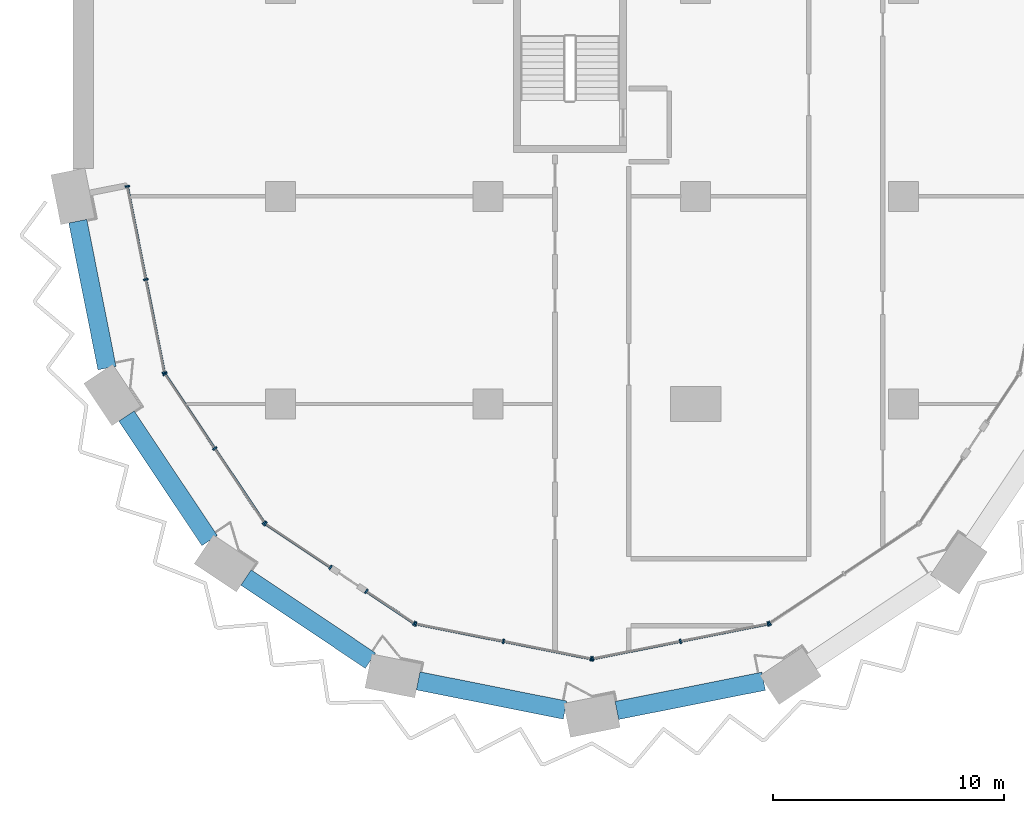
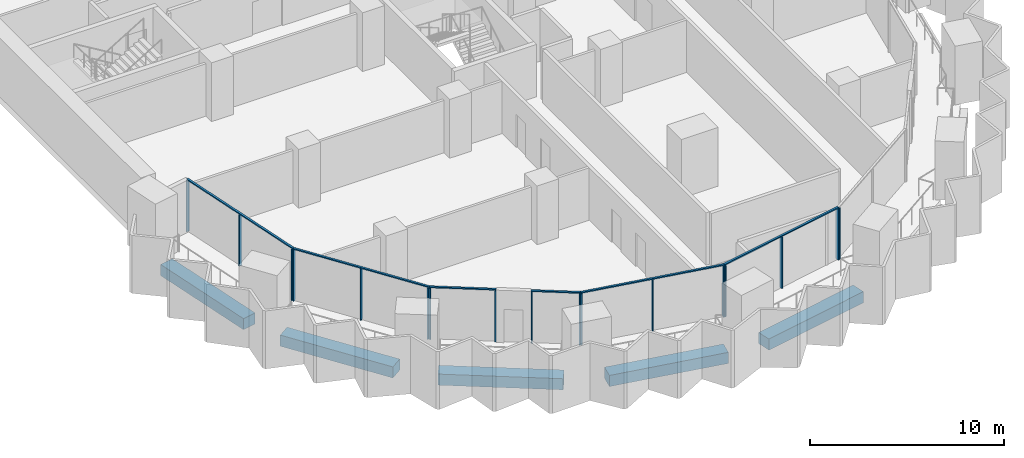
# One storey, part 2 of 23: 23 members, 5 beams, 7 elements without a shape of their own.
"""IFC4 building model written with IfcOpenShell, lengths in metres."""

from ifc_helpers import new_model, si_unit, direction, frame, origin, origin_2d, place, context, subcontext, project, spatial, rectangle, extrude, material, material_profile, profile_set, type_object, element, aggregate, save


model = new_model("IFC4")

# Units and contexts
model_context = context("Model", 3, precision=1e-05, world=origin(), true_north=direction((0.0, 1.0)))
body_context = subcontext(model_context, "Body", "Model", "MODEL_VIEW")
ifc_project = project(units=[si_unit("LENGTHUNIT", "METRE"), si_unit("AREAUNIT", "SQUARE_METRE"), si_unit("VOLUMEUNIT", "CUBIC_METRE"), si_unit("PLANEANGLEUNIT", "RADIAN"), si_unit("MASSUNIT", "GRAM", prefix="KILO")], contexts=[model_context])

# Site, building, storey
site_placement = place(None, origin())
site = spatial("IfcSite", under=ifc_project, at=site_placement, CompositionType="ELEMENT")
building_placement = place(site_placement, origin())
building = spatial("IfcBuilding", under=site, at=building_placement, Name="Hunhe Ridgeline Campus", CompositionType="ELEMENT")
storey_placement = place(building_placement, frame((0.0, 0.0, 95.89990234375)))
storey = spatial("IfcBuildingStorey", under=building, at=storey_placement, Name="L23", CompositionType="ELEMENT", Elevation=95.89990234375)

# Curtain wall, members
ifc_material_1 = material(Name="Aluminium 6063", Category="aluminium")
curtain_wall_type = type_object("IfcCurtainWallType", Name="Curtain wall CW-5", PredefinedType="NOTDEFINED", material=ifc_material_1)
curtain_wall_1_placement = place(storey_placement, origin())
curtain_wall_1 = element("IfcCurtainWall", 1, at=curtain_wall_1_placement, inside=storey, type_object=curtain_wall_type, Name="Curtain wall 01", PredefinedType="NOTDEFINED")
ifc_material_profile_1 = material_profile(ifc_material_1, rectangle(XDim=0.199951171875, YDim=0.070068359375, at=origin_2d()))
ifc_profile_set_1 = profile_set([ifc_material_profile_1], Name="Aluminium 6063")
member_type_1 = type_object("IfcMemberType", Name="CW-5 aluminium mullion", PredefinedType="MULLION", material=ifc_profile_set_1)
member_1_placement = place(storey_placement, frame((2.361572265625, 27.434326171875, 0.0), z_axis=(0.0, 0.0, 1.0), x_axis=(0.980784280831, 0.195095347137, 0.0)))
member_1 = element("IfcMember", 2, at=member_1_placement, type_object=member_type_1, Name="CW-5 mullion 1", PredefinedType="MULLION", context=body_context, shape_type="SweptSolid", body=[
    extrude(rectangle(XDim=0.199951171875, YDim=0.070068359375, at=origin_2d()), origin(), (0.0, 0.0, 1.0), 3.22998046875),
])
member_2_placement = place(storey_placement, frame((3.16455078125, 23.3974609375, 0.0), z_axis=(0.0, 0.0, 1.0), x_axis=(0.980784280831, 0.195095347137, 0.0)))
member_2 = element("IfcMember", 3, at=member_2_placement, type_object=member_type_1, Name="CW-5 mullion 2", PredefinedType="MULLION", context=body_context, shape_type="SweptSolid", body=[
    extrude(rectangle(XDim=0.199951171875, YDim=0.070068359375, at=origin_2d()), origin(), (0.0, 0.0, 1.0), 3.22998046875),
])
member_3_placement = place(storey_placement, frame((3.967529296875, 19.36083984375, 0.0), z_axis=(0.0, 0.0, 1.0), x_axis=(0.980784280831, 0.195095347137, 0.0)))
member_3 = element("IfcMember", 4, at=member_3_placement, type_object=member_type_1, Name="CW-5 mullion 3", PredefinedType="MULLION", context=body_context, shape_type="SweptSolid", body=[
    extrude(rectangle(XDim=0.199951171875, YDim=0.070068359375, at=origin_2d()), origin(), (0.0, 0.0, 1.0), 3.22998046875),
])

curtain_wall_2_placement = place(storey_placement, origin())
curtain_wall_2 = element("IfcCurtainWall", 5, at=curtain_wall_2_placement, inside=storey, type_object=curtain_wall_type, Name="Curtain wall 02", PredefinedType="NOTDEFINED")
member_4_placement = place(storey_placement, frame((3.993896484375, 19.29736328125, 0.0), z_axis=(0.0, 0.0, 1.0), x_axis=(0.831469584522, 0.555570274596, 0.0)))
member_4 = element("IfcMember", 6, at=member_4_placement, type_object=member_type_1, Name="CW-5 mullion 1", PredefinedType="MULLION", context=body_context, shape_type="SweptSolid", body=[
    extrude(rectangle(XDim=0.199951171875, YDim=0.070068359375, at=origin_2d()), origin(), (0.0, 0.0, 1.0), 3.22998046875),
])
member_5_placement = place(storey_placement, frame((6.147705078125, 16.07373046875, 0.0), z_axis=(0.0, 0.0, 1.0), x_axis=(0.831469584522, 0.555570274596, 0.0)))
member_5 = element("IfcMember", 7, at=member_5_placement, type_object=member_type_1, Name="CW-5 mullion 2", PredefinedType="MULLION", context=body_context, shape_type="SweptSolid", body=[
    extrude(rectangle(XDim=0.199951171875, YDim=0.070068359375, at=origin_2d()), origin(), (0.0, 0.0, 1.0), 3.22998046875),
])
member_6_placement = place(storey_placement, frame((8.3017578125, 12.850341796875, 0.0), z_axis=(0.0, 0.0, 1.0), x_axis=(0.831469584522, 0.555570274596, 0.0)))
member_6 = element("IfcMember", 8, at=member_6_placement, type_object=member_type_1, Name="CW-5 mullion 3", PredefinedType="MULLION", context=body_context, shape_type="SweptSolid", body=[
    extrude(rectangle(XDim=0.199951171875, YDim=0.070068359375, at=origin_2d()), origin(), (0.0, 0.0, 1.0), 3.22998046875),
])

curtain_wall_3_placement = place(storey_placement, origin())
curtain_wall_3 = element("IfcCurtainWall", 9, at=curtain_wall_3_placement, inside=storey, type_object=curtain_wall_type, Name="Curtain wall 03", PredefinedType="NOTDEFINED")
member_7_placement = place(storey_placement, frame((8.350341796875, 12.8017578125, 0.0), z_axis=(0.0, 0.0, 1.0), x_axis=(0.555570257501, 0.831469595944, 0.0)))
member_7 = element("IfcMember", 10, at=member_7_placement, type_object=member_type_1, Name="CW-5 mullion 1", PredefinedType="MULLION", context=body_context, shape_type="SweptSolid", body=[
    extrude(rectangle(XDim=0.199951171875, YDim=0.070068359375, at=origin_2d()), origin(), (0.0, 0.0, 1.0), 3.22998046875),
])
member_8_placement = place(storey_placement, frame((11.17041015625, 10.917236328125, 0.0), z_axis=(0.0, 0.0, 1.0), x_axis=(0.555570257501, 0.831469595944, 0.0)))
member_8 = element("IfcMember", 11, at=member_8_placement, type_object=member_type_1, Name="CW-5 mullion 2", PredefinedType="MULLION", context=body_context, shape_type="SweptSolid", body=[
    extrude(rectangle(XDim=0.199951171875, YDim=0.070068359375, at=origin_2d()), origin(), (0.0, 0.0, 1.0), 3.22998046875),
])

curtain_wall_4_placement = place(storey_placement, origin())
curtain_wall_4 = element("IfcCurtainWall", 12, at=curtain_wall_4_placement, inside=storey, type_object=curtain_wall_type, Name="Curtain wall 04", PredefinedType="NOTDEFINED")
member_9_placement = place(storey_placement, frame((12.725341796875, 9.87841796875, 0.0), z_axis=(0.0, 0.0, 1.0), x_axis=(0.555570385598, 0.831469510353, 0.0)))
member_9 = element("IfcMember", 13, at=member_9_placement, type_object=member_type_1, Name="CW-5 mullion 1", PredefinedType="MULLION", context=body_context, shape_type="SweptSolid", body=[
    extrude(rectangle(XDim=0.199951171875, YDim=0.070068359375, at=origin_2d()), origin(), (0.0, 0.0, 1.0), 3.22998046875),
])
member_10_placement = place(storey_placement, frame((14.79736328125, 8.493896484375, 0.0), z_axis=(0.0, 0.0, 1.0), x_axis=(0.555570385598, 0.831469510353, 0.0)))
member_10 = element("IfcMember", 14, at=member_10_placement, type_object=member_type_1, Name="CW-5 mullion 2", PredefinedType="MULLION", context=body_context, shape_type="SweptSolid", body=[
    extrude(rectangle(XDim=0.199951171875, YDim=0.070068359375, at=origin_2d()), origin(), (0.0, 0.0, 1.0), 3.22998046875),
])

curtain_wall_5_placement = place(storey_placement, origin())
curtain_wall_5 = element("IfcCurtainWall", 15, at=curtain_wall_5_placement, inside=storey, type_object=curtain_wall_type, Name="Curtain wall 05", PredefinedType="NOTDEFINED")
member_11_placement = place(storey_placement, frame((14.86083984375, 8.467529296875, 0.0), z_axis=(0.0, 0.0, 1.0), x_axis=(0.195090347539, 0.980785275326, 0.0)))
member_11 = element("IfcMember", 16, at=member_11_placement, type_object=member_type_1, Name="CW-5 mullion 1", PredefinedType="MULLION", context=body_context, shape_type="SweptSolid", body=[
    extrude(rectangle(XDim=0.199951171875, YDim=0.070068359375, at=origin_2d()), origin(), (0.0, 0.0, 1.0), 3.22998046875),
])
member_12_placement = place(storey_placement, frame((18.663330078125, 7.711181640625, 0.0), z_axis=(0.0, 0.0, 1.0), x_axis=(0.195090347539, 0.980785275326, 0.0)))
member_12 = element("IfcMember", 17, at=member_12_placement, type_object=member_type_1, Name="CW-5 mullion 2", PredefinedType="MULLION", context=body_context, shape_type="SweptSolid", body=[
    extrude(rectangle(XDim=0.199951171875, YDim=0.070068359375, at=origin_2d()), origin(), (0.0, 0.0, 1.0), 3.22998046875),
])
member_13_placement = place(storey_placement, frame((22.465576171875, 6.954833984375, 0.0), z_axis=(0.0, 0.0, 1.0), x_axis=(0.195090347539, 0.980785275326, 0.0)))
member_13 = element("IfcMember", 18, at=member_13_placement, type_object=member_type_1, Name="CW-5 mullion 3", PredefinedType="MULLION", context=body_context, shape_type="SweptSolid", body=[
    extrude(rectangle(XDim=0.199951171875, YDim=0.070068359375, at=origin_2d()), origin(), (0.0, 0.0, 1.0), 3.22998046875),
])

curtain_wall_6_placement = place(storey_placement, origin())
curtain_wall_6 = element("IfcCurtainWall", 19, at=curtain_wall_6_placement, inside=storey, type_object=curtain_wall_type, Name="Curtain wall 06", PredefinedType="NOTDEFINED")
member_14_placement = place(storey_placement, frame((22.534423828125, 6.954833984375, 0.0), z_axis=(0.0, 0.0, 1.0), x_axis=(-0.195090347539, 0.980785275326, 0.0)))
member_14 = element("IfcMember", 20, at=member_14_placement, type_object=member_type_1, Name="CW-5 mullion 1", PredefinedType="MULLION", context=body_context, shape_type="SweptSolid", body=[
    extrude(rectangle(XDim=0.199951171875, YDim=0.070068359375, at=origin_2d()), origin(), (0.0, 0.0, 1.0), 3.22998046875),
])
member_15_placement = place(storey_placement, frame((26.336669921875, 7.711181640625, 0.0), z_axis=(0.0, 0.0, 1.0), x_axis=(-0.195090347539, 0.980785275326, 0.0)))
member_15 = element("IfcMember", 21, at=member_15_placement, type_object=member_type_1, Name="CW-5 mullion 2", PredefinedType="MULLION", context=body_context, shape_type="SweptSolid", body=[
    extrude(rectangle(XDim=0.199951171875, YDim=0.070068359375, at=origin_2d()), origin(), (0.0, 0.0, 1.0), 3.22998046875),
])
member_16_placement = place(storey_placement, frame((30.13916015625, 8.467529296875, 0.0), z_axis=(0.0, 0.0, 1.0), x_axis=(-0.195090347539, 0.980785275326, 0.0)))
member_16 = element("IfcMember", 22, at=member_16_placement, type_object=member_type_1, Name="CW-5 mullion 3", PredefinedType="MULLION", context=body_context, shape_type="SweptSolid", body=[
    extrude(rectangle(XDim=0.199951171875, YDim=0.070068359375, at=origin_2d()), origin(), (0.0, 0.0, 1.0), 3.22998046875),
])

# Curtain wall, member
curtain_wall_7_placement = place(storey_placement, origin())
curtain_wall_7 = element("IfcCurtainWall", 23, at=curtain_wall_7_placement, inside=storey, type_object=curtain_wall_type, Name="Curtain wall 07", PredefinedType="NOTDEFINED")
member_17_placement = place(storey_placement, frame((30.20263671875, 8.493896484375, 0.0), z_axis=(0.0, 0.0, 1.0), x_axis=(-0.555570274596, 0.831469584522, 0.0)))
member_17 = element("IfcMember", 24, at=member_17_placement, type_object=member_type_1, Name="CW-5 mullion 1", PredefinedType="MULLION", context=body_context, shape_type="SweptSolid", body=[
    extrude(rectangle(XDim=0.199951171875, YDim=0.070068359375, at=origin_2d()), origin(), (0.0, 0.0, 1.0), 3.22998046875),
])
aggregate(curtain_wall_7, [member_17])

# Member
ifc_material_profile_2 = material_profile(ifc_material_1, rectangle(XDim=0.1201171875, YDim=0.070068359375, at=origin_2d()))
ifc_profile_set_2 = profile_set([ifc_material_profile_2], Name="Aluminium 6063")
member_type_2 = type_object("IfcMemberType", Name="CW-5 aluminium transom", PredefinedType="USERDEFINED", material=ifc_profile_set_2)
member_18_placement = place(storey_placement, frame((2.354736328125, 27.46875, 3.26513671875), z_axis=(0.195092405068, -0.980784866056, 0.0), x_axis=(0.980784866056, 0.195092405068, 0.0)))
member_18 = element("IfcMember", 25, at=member_18_placement, type_object=member_type_2, Name="CW-5 transom 1", ObjectType="TRANSOM", PredefinedType="USERDEFINED", context=body_context, shape_type="SweptSolid", body=[
    extrude(rectangle(XDim=0.1201171875, YDim=0.070068359375, at=origin_2d()), origin(), (0.0, 0.0, 1.0), 8.3017578125),
])

aggregate(curtain_wall_1, [member_18, member_1, member_2, member_3])

member_19_placement = place(storey_placement, frame((3.974365234375, 19.326416015625, 3.26513671875), z_axis=(0.5555640203, -0.831473763475, 0.0), x_axis=(0.831473763475, 0.5555640203, 0.0)))
member_19 = element("IfcMember", 26, at=member_19_placement, type_object=member_type_2, Name="CW-5 transom 1", ObjectType="TRANSOM", PredefinedType="USERDEFINED", context=body_context, shape_type="SweptSolid", body=[
    extrude(rectangle(XDim=0.1201171875, YDim=0.070068359375, at=origin_2d()), origin(), (0.0, 0.0, 1.0), 7.823974609375),
])

aggregate(curtain_wall_2, [member_19, member_4, member_5, member_6])

member_20_placement = place(storey_placement, frame((8.321044921875, 12.821044921875, 3.26513671875), z_axis=(0.831485714606, -0.555546133463, 0.0), x_axis=(0.555546133463, 0.831485714606, 0.0)))
member_20 = element("IfcMember", 27, at=member_20_placement, type_object=member_type_2, Name="CW-5 transom 1", ObjectType="TRANSOM", PredefinedType="USERDEFINED", context=body_context, shape_type="SweptSolid", body=[
    extrude(rectangle(XDim=0.1201171875, YDim=0.070068359375, at=origin_2d()), origin(), (0.0, 0.0, 1.0), 3.462158203125),
])

aggregate(curtain_wall_3, [member_20, member_7, member_8])

member_21_placement = place(storey_placement, frame((12.6962890625, 9.897705078125, 3.26513671875), z_axis=(0.831463388334, -0.555579547735, 0.0), x_axis=(0.555579547735, 0.831463388334, 0.0)))
member_21 = element("IfcMember", 28, at=member_21_placement, type_object=member_type_2, Name="CW-5 transom 1", ObjectType="TRANSOM", PredefinedType="USERDEFINED", context=body_context, shape_type="SweptSolid", body=[
    extrude(rectangle(XDim=0.1201171875, YDim=0.070068359375, at=origin_2d()), origin(), (0.0, 0.0, 1.0), 2.56201171875),
])

aggregate(curtain_wall_4, [member_21, member_9, member_10])

member_22_placement = place(storey_placement, frame((14.826416015625, 8.474365234375, 3.26513671875), z_axis=(0.980785367689, -0.195089883198, 0.0), x_axis=(0.195089883198, 0.980785367689, 0.0)))
member_22 = element("IfcMember", 29, at=member_22_placement, type_object=member_type_2, Name="CW-5 transom 1", ObjectType="TRANSOM", PredefinedType="USERDEFINED", context=body_context, shape_type="SweptSolid", body=[
    extrude(rectangle(XDim=0.1201171875, YDim=0.070068359375, at=origin_2d()), origin(), (0.0, 0.0, 1.0), 7.823974609375),
])

aggregate(curtain_wall_5, [member_22, member_11, member_12, member_13])

member_23_placement = place(storey_placement, frame((22.5, 6.947998046875, 3.26513671875), z_axis=(0.980785367689, 0.195089883198, 0.0), x_axis=(-0.195089883198, 0.980785367689, 0.0)))
member_23 = element("IfcMember", 30, at=member_23_placement, type_object=member_type_2, Name="CW-5 transom 1", ObjectType="TRANSOM", PredefinedType="USERDEFINED", context=body_context, shape_type="SweptSolid", body=[
    extrude(rectangle(XDim=0.1201171875, YDim=0.070068359375, at=origin_2d()), origin(), (0.0, 0.0, 1.0), 7.823974609375),
])

aggregate(curtain_wall_6, [member_23, member_14, member_15, member_16])

# Beams
ifc_material_2 = material(Name="Concrete C60", Category="concrete")
ifc_material_profile_3 = material_profile(ifc_material_2, rectangle(XDim=0.800048828125, YDim=0.699951171875, at=origin_2d()))
ifc_profile_set_3 = profile_set([ifc_material_profile_3], Name="Concrete C60")
beam_type = type_object("IfcBeamType", Name="RC spandrel beam 800x700 Concrete C60", PredefinedType="SPANDREL", material=ifc_profile_set_3)
for number, where, z_axis, x_axis, name in (
    (31, (0.214599609375, 25.921142578125, -0.599853515625), (0.195095759636, -0.980784198778, 0.0), (0.980784198778, 0.195095759636, 0.0), "Spandrel beam B1-1 L23"),
    (32, (2.32373046875, 17.47509765625, -0.599853515625), (0.555585540178, -0.831459384183, 0.0), (0.831459384183, 0.555585540178, 0.0), "Spandrel beam B1-2 L23"),
    (33, (7.504638671875, 10.47900390625, -0.599853515625), (0.831476765351, -0.555559527577, 0.0), (0.555559527577, 0.831476765351, 0.0), "Spandrel beam B1-3 L23"),
    (34, (14.968505859375, 5.998046875, -0.599853515625), (0.980784198778, -0.195095759636, 0.0), (0.195095759636, 0.980784198778, 0.0), "Spandrel beam B1-4 L23"),
    (35, (23.578857421875, 4.714599609375, -0.599853515625), (0.980784198778, 0.195095759636, 0.0), (-0.195095759636, 0.980784198778, 0.0), "Spandrel beam B1-5 L23"),
):
    element("IfcBeam", number, at=place(storey_placement, frame(where, z_axis=z_axis, x_axis=x_axis)), inside=storey, type_object=beam_type, Name=name, PredefinedType="SPANDREL", context=body_context, shape_type="SweptSolid", body=[
        extrude(rectangle(XDim=0.800048828125, YDim=0.699951171875, at=origin_2d()), origin(), (0.0, 0.0, 1.0), 6.488525390625),
    ])

save(model, "model.ifc")
